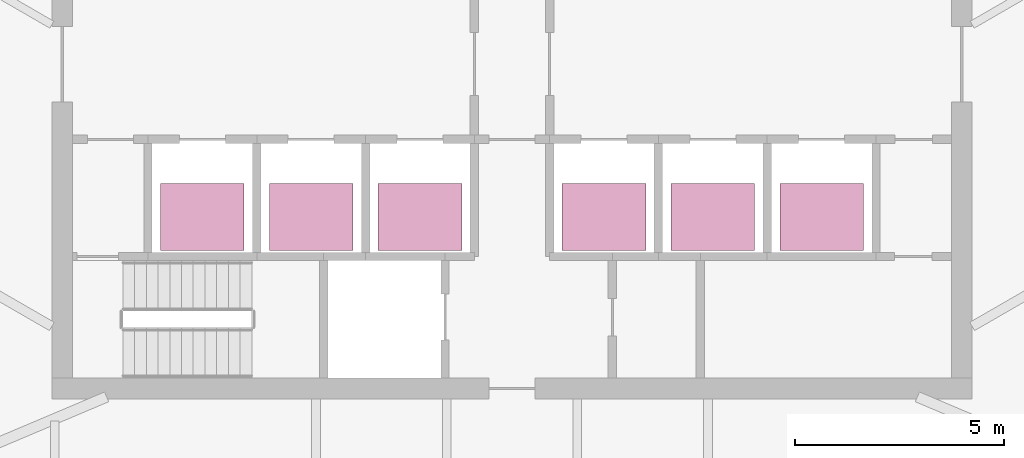
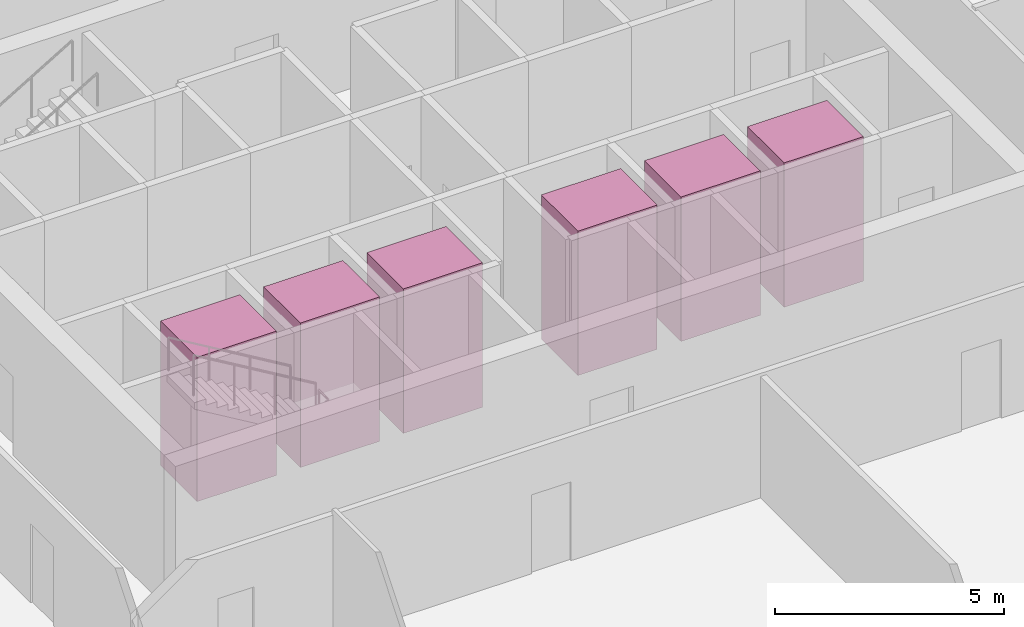
# One storey, part 18 of 18: 6 transport elements.
"""IFC4 building model written with IfcOpenShell, lengths in metres."""

from ifc_helpers import new_model, si_unit, direction, frame, origin, origin_2d, place, context, subcontext, project, spatial, rectangle, extrude, material, type_object, element, save


model = new_model("IFC4")

# Units and contexts
model_context = context("Model", 3, precision=1e-05, world=origin(), true_north=direction((0.0, 1.0)))
body_context = subcontext(model_context, "Body", "Model", "MODEL_VIEW")
ifc_project = project(units=[si_unit("LENGTHUNIT", "METRE"), si_unit("AREAUNIT", "SQUARE_METRE"), si_unit("VOLUMEUNIT", "CUBIC_METRE"), si_unit("PLANEANGLEUNIT", "RADIAN"), si_unit("MASSUNIT", "GRAM", prefix="KILO")], contexts=[model_context])

# Site, building, storey
site_placement = place(None, origin())
site = spatial("IfcSite", under=ifc_project, at=site_placement, CompositionType="ELEMENT")
building_placement = place(site_placement, origin())
building = spatial("IfcBuilding", under=site, at=building_placement, Name="Sierra Prisma Convention Tower", CompositionType="ELEMENT")
storey_placement = place(building_placement, frame((0.0, 0.0, 129.800048828125)))
storey = spatial("IfcBuildingStorey", under=building, at=storey_placement, Name="L27", CompositionType="ELEMENT", Elevation=129.800048828125)

# Transport elements
ifc_material = material(Name="Stainless steel", Category="steel")
transport_element_type = type_object("IfcTransportElementType", Name="Lift car office low 2000x1600 1600 kg", PredefinedType="ELEVATOR", material=ifc_material)
for number, where, z_axis, x_axis, name in (
    (1, (-7.39990234375, -3.64990234375, 0.0), (0.0, 0.0, 1.0), (1.0, 0.0, 0.0), "Lift OL1"),
    (2, (-4.800048828125, -3.64990234375, 0.0), (0.0, 0.0, 1.0), (1.0, 0.0, 0.0), "Lift OL2"),
    (3, (-2.199951171875, -3.64990234375, 0.0), (0.0, 0.0, 1.0), (1.0, 0.0, 0.0), "Lift OL3"),
    (4, (2.199951171875, -3.64990234375, 0.0), (0.0, 0.0, 1.0), (1.0, 0.0, 0.0), "Lift OL4"),
    (5, (4.800048828125, -3.64990234375, 0.0), (0.0, 0.0, 1.0), (1.0, 0.0, 0.0), "Lift OL5"),
    (6, (7.39990234375, -3.64990234375, 0.0), (0.0, 0.0, 1.0), (1.0, 0.0, 0.0), "Lift OL6"),
):
    element("IfcTransportElement", number, at=place(storey_placement, frame(where, z_axis=z_axis, x_axis=x_axis)), inside=storey, type_object=transport_element_type, Name=name, PredefinedType="ELEVATOR", context=body_context, shape_type="SweptSolid", body=[
        extrude(rectangle(XDim=2.0, YDim=1.60009765625, at=origin_2d()), origin(), (0.0, 0.0, 1.0), 3.85009765625),
    ])

save(model, "model.ifc")
